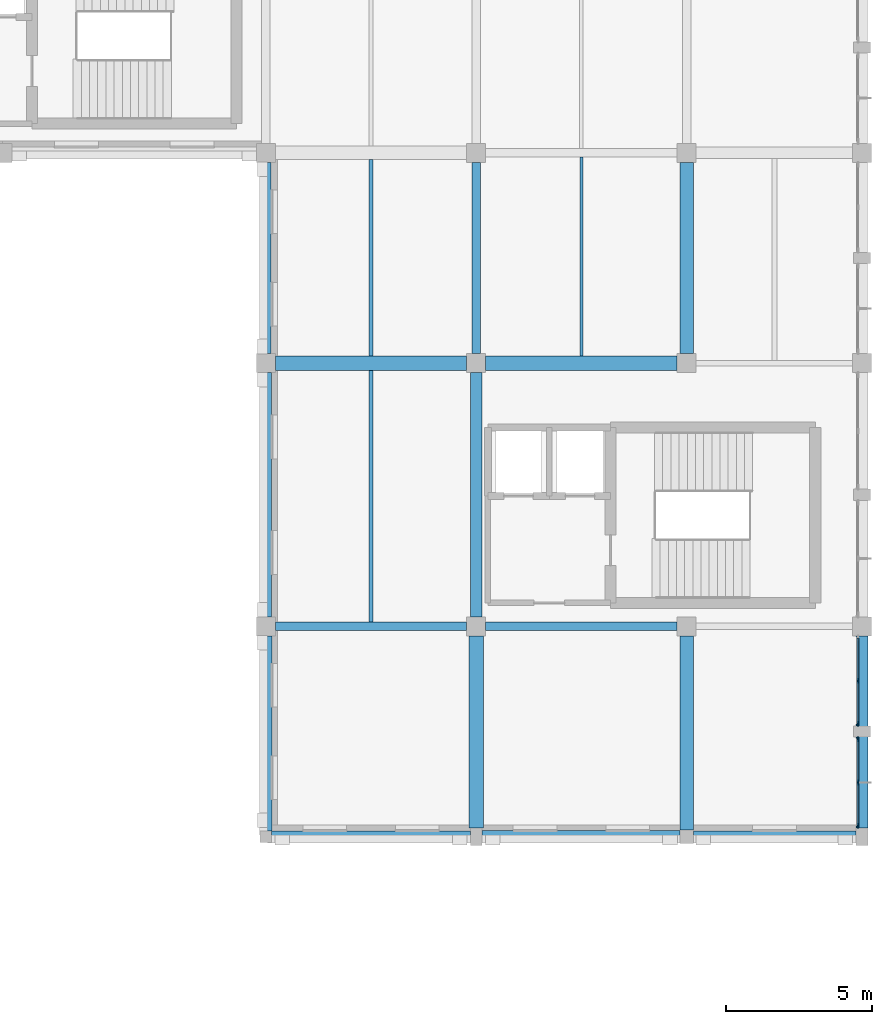
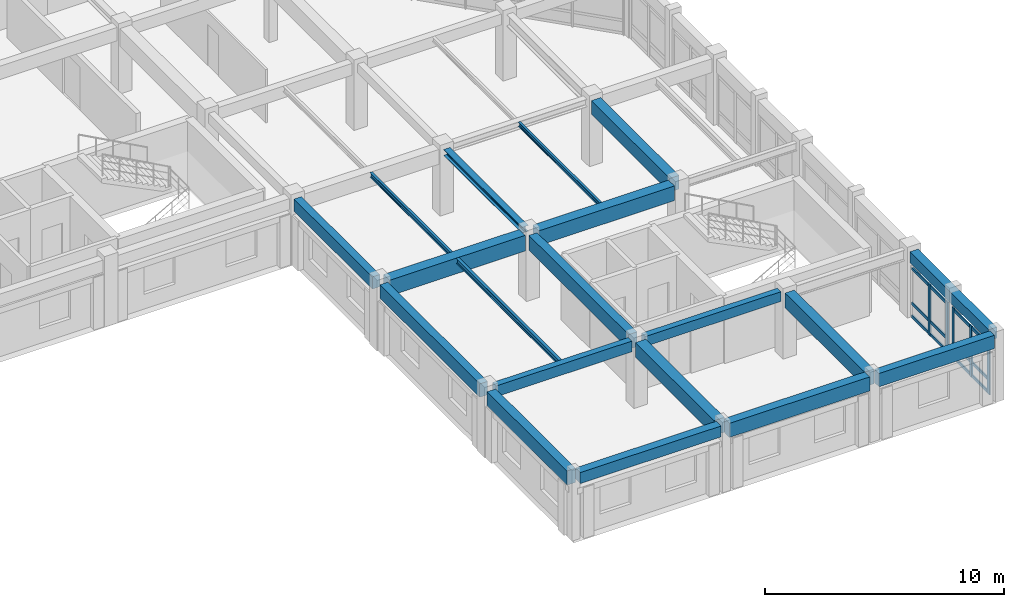
# One storey, part 3 of 18: 19 beams, 17 members, 2 elements without a shape of their own.
"""IFC4 building model written with IfcOpenShell, lengths in metres."""

from ifc_helpers import new_model, si_unit, direction, frame, origin, origin_2d, place, context, subcontext, project, spatial, rectangle, i_section, extrude, material, material_profile, profile_set, type_object, element, aggregate, save


model = new_model("IFC4")

# Units and contexts
model_context = context("Model", 3, precision=1e-05, world=origin(), true_north=direction((0.0, 1.0)))
body_context = subcontext(model_context, "Body", "Model", "MODEL_VIEW")
ifc_project = project(units=[si_unit("LENGTHUNIT", "METRE"), si_unit("AREAUNIT", "SQUARE_METRE"), si_unit("VOLUMEUNIT", "CUBIC_METRE"), si_unit("PLANEANGLEUNIT", "RADIAN"), si_unit("MASSUNIT", "GRAM", prefix="KILO")], contexts=[model_context])

# Site, building, storey
site_placement = place(None, origin())
site = spatial("IfcSite", under=ifc_project, at=site_placement, CompositionType="ELEMENT")
building_placement = place(site_placement, origin())
building = spatial("IfcBuilding", under=site, at=building_placement, Name="Clarverna Civic Hall", CompositionType="ELEMENT")
storey_placement = place(building_placement, frame((0.0, 0.0, 20.39990234375)))
storey = spatial("IfcBuildingStorey", under=building, at=storey_placement, Name="L05", CompositionType="ELEMENT", Elevation=20.39990234375)

# Beams
ifc_material_1 = material(Name="Concrete C35/45", Category="concrete")
ifc_material_profile_1 = material_profile(ifc_material_1, rectangle(XDim=0.300048828125, YDim=0.550048828125, at=origin_2d()), Name="RC 300x550")
ifc_profile_set_1 = profile_set([ifc_material_profile_1], Name="Concrete C35/45")
beam_type_1 = type_object("IfcBeamType", Name="B-RC11", PredefinedType="BEAM", material=ifc_profile_set_1)
beam_1_placement = place(storey_placement, frame((147.925048828125, 78.800048828125, 3.065185546875), z_axis=(1.0, 0.0, 0.0), x_axis=(0.0, 1.0, 0.0)))
element("IfcBeam", 1, at=beam_1_placement, inside=storey, type_object=beam_type_1, Name="B-RC11-035", PredefinedType="BEAM", context=body_context, shape_type="SweptSolid", body=[
    extrude(rectangle(XDim=0.300048828125, YDim=0.550048828125, at=origin_2d()), origin(), (0.0, 0.0, 1.0), 6.550048828125),
])
ifc_material_profile_2 = material_profile(ifc_material_1, rectangle(XDim=0.300048828125, YDim=0.5, at=origin_2d()), Name="RC 300x500")
ifc_profile_set_2 = profile_set([ifc_material_profile_2], Name="Concrete C35/45")
beam_type_2 = type_object("IfcBeamType", Name="B-RC12", PredefinedType="BEAM", material=ifc_profile_set_2)
beam_2_placement = place(storey_placement, frame((155.125, 78.800048828125, 3.090087890625), z_axis=(1.0, 0.0, 0.0), x_axis=(0.0, 1.0, 0.0)))
element("IfcBeam", 2, at=beam_2_placement, inside=storey, type_object=beam_type_2, Name="B-RC12-051", PredefinedType="BEAM", context=body_context, shape_type="SweptSolid", body=[
    extrude(rectangle(XDim=0.300048828125, YDim=0.5, at=origin_2d()), origin(), (0.0, 0.0, 1.0), 6.550048828125),
])
ifc_material_profile_3 = material_profile(ifc_material_1, rectangle(XDim=0.5, YDim=0.800048828125, at=origin_2d()), Name="RC 500x800")
ifc_profile_set_3 = profile_set([ifc_material_profile_3], Name="Concrete C35/45")
beam_type_3 = type_object("IfcBeamType", Name="B-RC14", PredefinedType="BEAM", material=ifc_profile_set_3)
beam_3_placement = place(storey_placement, frame((147.925048828125, 87.800048828125, 2.940185546875), z_axis=(1.0, 0.0, 0.0), x_axis=(0.0, 1.0, 0.0)))
element("IfcBeam", 3, at=beam_3_placement, inside=storey, type_object=beam_type_3, Name="B-RC14-029", PredefinedType="BEAM", context=body_context, shape_type="SweptSolid", body=[
    extrude(rectangle(XDim=0.5, YDim=0.800048828125, at=origin_2d()), origin(), (0.0, 0.0, 1.0), 6.550048828125),
])
ifc_material_profile_4 = material_profile(ifc_material_1, rectangle(XDim=0.5, YDim=0.75, at=origin_2d()), Name="RC 500x750")
ifc_profile_set_4 = profile_set([ifc_material_profile_4], Name="Concrete C35/45")
beam_type_4 = type_object("IfcBeamType", Name="B-RC15", PredefinedType="BEAM", material=ifc_profile_set_4)
beam_4_placement = place(storey_placement, frame((155.125, 87.800048828125, 2.965087890625), z_axis=(1.0, 0.0, 0.0), x_axis=(0.0, 1.0, 0.0)))
element("IfcBeam", 4, at=beam_4_placement, inside=storey, type_object=beam_type_4, Name="B-RC15-050", PredefinedType="BEAM", context=body_context, shape_type="SweptSolid", body=[
    extrude(rectangle(XDim=0.5, YDim=0.75, at=origin_2d()), origin(), (0.0, 0.0, 1.0), 6.550048828125),
])
beam_5_placement = place(storey_placement, frame((154.800048828125, 71.89990234375, 2.965087890625), z_axis=(0.0, 1.0, 0.0), x_axis=(-1.0, 0.0, 0.0)))
element("IfcBeam", 5, at=beam_5_placement, inside=storey, type_object=beam_type_4, Name="B-RC15-051", PredefinedType="BEAM", context=body_context, shape_type="SweptSolid", body=[
    extrude(rectangle(XDim=0.5, YDim=0.75, at=origin_2d()), origin(), (0.0, 0.0, 1.0), 6.5751953125),
])
ifc_material_profile_5 = material_profile(ifc_material_1, rectangle(XDim=0.39990234375, YDim=0.75, at=origin_2d()), Name="RC 400x750")
ifc_profile_set_5 = profile_set([ifc_material_profile_5], Name="Concrete C35/45")
beam_type_5 = type_object("IfcBeamType", Name="B-RC16", PredefinedType="BEAM", material=ifc_profile_set_5)
beam_6_placement = place(storey_placement, frame((154.800048828125, 79.125, 2.965087890625), z_axis=(0.0, 1.0, 0.0), x_axis=(-1.0, 0.0, 0.0)))
element("IfcBeam", 6, at=beam_6_placement, inside=storey, type_object=beam_type_5, Name="B-RC16-030", PredefinedType="BEAM", context=body_context, shape_type="SweptSolid", body=[
    extrude(rectangle(XDim=0.39990234375, YDim=0.75, at=origin_2d()), origin(), (0.0, 0.0, 1.0), 8.35009765625),
])
ifc_material_profile_6 = material_profile(ifc_material_1, rectangle(XDim=0.449951171875, YDim=0.75, at=origin_2d()), Name="RC 450x750")
ifc_profile_set_6 = profile_set([ifc_material_profile_6], Name="Concrete C35/45")
beam_type_6 = type_object("IfcBeamType", Name="B-RC3", PredefinedType="BEAM", material=ifc_profile_set_6)
beam_7_placement = place(storey_placement, frame((162.0, 71.824951171875, 2.965087890625), z_axis=(0.0, 1.0, 0.0), x_axis=(-1.0, 0.0, 0.0)))
element("IfcBeam", 7, at=beam_7_placement, inside=storey, type_object=beam_type_6, Name="B-RC3-040", PredefinedType="BEAM", context=body_context, shape_type="SweptSolid", body=[
    extrude(rectangle(XDim=0.449951171875, YDim=0.75, at=origin_2d()), origin(), (0.0, 0.0, 1.0), 6.650146484375),
])
ifc_material_profile_7 = material_profile(ifc_material_1, rectangle(XDim=0.449951171875, YDim=0.699951171875, at=origin_2d()), Name="RC 450x700")
ifc_profile_set_7 = profile_set([ifc_material_profile_7], Name="Concrete C35/45")
beam_type_7 = type_object("IfcBeamType", Name="B-RC4", PredefinedType="BEAM", material=ifc_profile_set_7)
beam_8_placement = place(storey_placement, frame((162.0, 88.125, 2.989990234375), z_axis=(0.0, 1.0, 0.0), x_axis=(-1.0, 0.0, 0.0)))
element("IfcBeam", 8, at=beam_8_placement, inside=storey, type_object=beam_type_7, Name="B-RC4-031", PredefinedType="BEAM", context=body_context, shape_type="SweptSolid", body=[
    extrude(rectangle(XDim=0.449951171875, YDim=0.699951171875, at=origin_2d()), origin(), (0.0, 0.0, 1.0), 6.550048828125),
])
ifc_material_profile_8 = material_profile(ifc_material_1, rectangle(XDim=0.419921875, YDim=0.719970703125, at=origin_2d()), Name="RC 420x720")
ifc_profile_set_8 = profile_set([ifc_material_profile_8], Name="Concrete C35/45")
beam_type_8 = type_object("IfcBeamType", Name="B-SP1", PredefinedType="SPANDREL", material=ifc_profile_set_8)
beam_9_placement = place(storey_placement, frame((155.0, 71.60009765625, 3.0), z_axis=(1.0, 0.0, 0.0), x_axis=(0.0, 1.0, 0.0)))
element("IfcBeam", 9, at=beam_9_placement, inside=storey, type_object=beam_type_8, Name="B-SP1-143", PredefinedType="SPANDREL", context=body_context, shape_type="SweptSolid", body=[
    extrude(rectangle(XDim=0.419921875, YDim=0.719970703125, at=origin_2d()), origin(), (0.0, 0.0, 1.0), 6.77490234375),
])
beam_10_placement = place(storey_placement, frame((147.60009765625, 71.800048828125, 2.97998046875), z_axis=(0.0, 1.0, 0.0), x_axis=(-1.0, 0.0, 0.0)))
element("IfcBeam", 10, at=beam_10_placement, inside=storey, type_object=beam_type_8, Name="B-SP1-148", PredefinedType="SPANDREL", context=body_context, shape_type="SweptSolid", body=[
    extrude(rectangle(XDim=0.419921875, YDim=0.719970703125, at=origin_2d()), origin(), (0.0, 0.0, 1.0), 6.675048828125),
])
ifc_material_profile_9 = material_profile(ifc_material_1, rectangle(XDim=0.3798828125, YDim=0.679931640625, at=origin_2d()), Name="RC 380x680")
ifc_profile_set_9 = profile_set([ifc_material_profile_9], Name="Concrete C35/45")
beam_type_9 = type_object("IfcBeamType", Name="B-SP2", PredefinedType="SPANDREL", material=ifc_profile_set_9)
beam_11_placement = place(storey_placement, frame((162.22509765625, 71.60009765625, 3.02001953125), z_axis=(1.0, 0.0, 0.0), x_axis=(0.0, 1.0, 0.0)))
element("IfcBeam", 11, at=beam_11_placement, inside=storey, type_object=beam_type_9, Name="B-SP2-150", PredefinedType="SPANDREL", context=body_context, shape_type="SweptSolid", body=[
    extrude(rectangle(XDim=0.3798828125, YDim=0.679931640625, at=origin_2d()), origin(), (0.0, 0.0, 1.0), 5.574951171875),
])
beam_12_placement = place(storey_placement, frame((147.60009765625, 79.125, 3.0), z_axis=(0.0, 1.0, 0.0), x_axis=(-1.0, 0.0, 0.0)))
element("IfcBeam", 12, at=beam_12_placement, inside=storey, type_object=beam_type_9, Name="B-SP2-155", PredefinedType="SPANDREL", context=body_context, shape_type="SweptSolid", body=[
    extrude(rectangle(XDim=0.3798828125, YDim=0.679931640625, at=origin_2d()), origin(), (0.0, 0.0, 1.0), 8.35009765625),
])
ifc_material_profile_10 = material_profile(ifc_material_1, rectangle(XDim=0.360107421875, YDim=0.6201171875, at=origin_2d()), Name="RC 360x620")
ifc_profile_set_10 = profile_set([ifc_material_profile_10], Name="Concrete C35/45")
beam_type_10 = type_object("IfcBeamType", Name="B-SP3", PredefinedType="SPANDREL", material=ifc_profile_set_10)
beam_13_placement = place(storey_placement, frame((147.60009765625, 88.125, 3.030029296875), z_axis=(0.0, 1.0, 0.0), x_axis=(-1.0, 0.0, 0.0)))
element("IfcBeam", 13, at=beam_13_placement, inside=storey, type_object=beam_type_10, Name="B-SP3-153", PredefinedType="SPANDREL", context=body_context, shape_type="SweptSolid", body=[
    extrude(rectangle(XDim=0.360107421875, YDim=0.6201171875, at=origin_2d()), origin(), (0.0, 0.0, 1.0), 6.550048828125),
])
ifc_material_profile_11 = material_profile(ifc_material_1, rectangle(XDim=0.39990234375, YDim=0.56005859375, at=origin_2d()), Name="RC 400x560")
ifc_profile_set_11 = profile_set([ifc_material_profile_11], Name="Concrete C35/45")
beam_type_11 = type_object("IfcBeamType", Name="B-SP4", PredefinedType="SPANDREL", material=ifc_profile_set_11)
beam_14_placement = place(storey_placement, frame((147.800048828125, 71.60009765625, 3.080078125), z_axis=(1.0, 0.0, 0.0), x_axis=(0.0, 1.0, 0.0)))
element("IfcBeam", 14, at=beam_14_placement, inside=storey, type_object=beam_type_11, Name="B-SP4-148", PredefinedType="SPANDREL", context=body_context, shape_type="SweptSolid", body=[
    extrude(rectangle(XDim=0.39990234375, YDim=0.56005859375, at=origin_2d()), origin(), (0.0, 0.0, 1.0), 6.800048828125),
])
beam_15_placement = place(storey_placement, frame((168.0, 71.89990234375, 3.06005859375), z_axis=(0.0, 1.0, 0.0), x_axis=(-1.0, 0.0, 0.0)))
element("IfcBeam", 15, at=beam_15_placement, inside=storey, type_object=beam_type_11, Name="B-SP4-153", PredefinedType="SPANDREL", context=body_context, shape_type="SweptSolid", body=[
    extrude(rectangle(XDim=0.39990234375, YDim=0.56005859375, at=origin_2d()), origin(), (0.0, 0.0, 1.0), 6.5751953125),
])
ifc_material_2 = material(Name="Steel S355", Category="steel")
ifc_material_profile_12 = material_profile(ifc_material_2, i_section(OverallWidth=0.300048828125, OverallDepth=0.31005859375, WebThickness=0.009033203125, FlangeThickness=0.015380859375, FilletRadius=0.027099609375, at=origin_2d()), Name="HEA 320")
ifc_profile_set_12 = profile_set([ifc_material_profile_12], Name="Steel S355")
beam_type_12 = type_object("IfcBeamType", Name="B-ST9", PredefinedType="BEAM", material=ifc_profile_set_12)
beam_16_placement = place(storey_placement, frame((154.800048828125, 88.125, 3.18505859375), z_axis=(0.0, 1.0, 0.0), x_axis=(-1.0, 0.0, 0.0)))
element("IfcBeam", 16, at=beam_16_placement, inside=storey, type_object=beam_type_12, Name="B-ST9-092", PredefinedType="BEAM", context=body_context, shape_type="SweptSolid", body=[
    extrude(i_section(OverallWidth=0.300048828125, OverallDepth=0.31005859375, WebThickness=0.009033203125, FlangeThickness=0.015380859375, FilletRadius=0.027099609375, at=origin_2d()), origin(), (0.0, 0.0, 1.0), 6.550048828125),
])

# Curtain wall, members
ifc_material_3 = material(Name="Anodised Bronze Architectural Aluminium", Category="aluminium")
curtain_wall_type = type_object("IfcCurtainWallType", Name="CW-01", PredefinedType="USERDEFINED", material=ifc_material_3)
curtain_wall_1_placement = place(storey_placement, origin())
curtain_wall_1 = element("IfcCurtainWall", 17, at=curtain_wall_1_placement, inside=storey, type_object=curtain_wall_type, Name="CW-01-111", ObjectType="UNITISED CURTAIN WALL", PredefinedType="USERDEFINED")
ifc_material_profile_13 = material_profile(ifc_material_3, rectangle(XDim=0.06005859375, YDim=0.179931640625, at=origin_2d()), Name="BRONZE 60x180")
ifc_profile_set_13 = profile_set([ifc_material_profile_13], Name="Anodised Bronze Architectural Aluminium")
member_type_1 = type_object("IfcMemberType", Name="CWM-01", PredefinedType="MULLION", material=ifc_profile_set_13)
member_1_placement = place(storey_placement, frame((167.860107421875, 76.9326171875, 0.0), z_axis=(0.0, 0.0, 1.0), x_axis=(1.0, 0.0, 0.0)))
member_1 = element("IfcMember", 18, at=member_1_placement, type_object=member_type_1, Name="CWM-01-208", PredefinedType="MULLION", context=body_context, shape_type="SweptSolid", body=[
    extrude(rectangle(XDim=0.06005859375, YDim=0.179931640625, at=origin_2d()), origin(), (0.0, 0.0, 1.0), 2.6201171875),
])
member_2_placement = place(storey_placement, frame((167.860107421875, 75.462890625, 0.0), z_axis=(0.0, 0.0, 1.0), x_axis=(1.0, 0.0, 0.0)))
member_2 = element("IfcMember", 19, at=member_2_placement, type_object=member_type_1, Name="CWM-01-209", PredefinedType="MULLION", context=body_context, shape_type="SweptSolid", body=[
    extrude(rectangle(XDim=0.06005859375, YDim=0.179931640625, at=origin_2d()), origin(), (0.0, 0.0, 1.0), 2.6201171875),
])

curtain_wall_2_placement = place(storey_placement, origin())
curtain_wall_2 = element("IfcCurtainWall", 20, at=curtain_wall_2_placement, inside=storey, type_object=curtain_wall_type, Name="CW-01-112", ObjectType="UNITISED CURTAIN WALL", PredefinedType="USERDEFINED")
member_3_placement = place(storey_placement, frame((167.860107421875, 74.93701171875, 0.0), z_axis=(0.0, 0.0, 1.0), x_axis=(1.0, 0.0, 0.0)))
member_3 = element("IfcMember", 21, at=member_3_placement, type_object=member_type_1, Name="CWM-01-210", PredefinedType="MULLION", context=body_context, shape_type="SweptSolid", body=[
    extrude(rectangle(XDim=0.06005859375, YDim=0.179931640625, at=origin_2d()), origin(), (0.0, 0.0, 1.0), 2.6201171875),
])
member_4_placement = place(storey_placement, frame((167.860107421875, 73.455078125, 0.0), z_axis=(0.0, 0.0, 1.0), x_axis=(1.0, 0.0, 0.0)))
member_4 = element("IfcMember", 22, at=member_4_placement, type_object=member_type_1, Name="CWM-01-211", PredefinedType="MULLION", context=body_context, shape_type="SweptSolid", body=[
    extrude(rectangle(XDim=0.06005859375, YDim=0.179931640625, at=origin_2d()), origin(), (0.0, 0.0, 1.0), 2.6201171875),
])
member_5_placement = place(storey_placement, frame((167.860107421875, 71.972900390625, 0.0), z_axis=(0.0, 0.0, 1.0), x_axis=(1.0, 0.0, 0.0)))
member_5 = element("IfcMember", 23, at=member_5_placement, type_object=member_type_1, Name="CWM-01-212", PredefinedType="MULLION", context=body_context, shape_type="SweptSolid", body=[
    extrude(rectangle(XDim=0.06005859375, YDim=0.179931640625, at=origin_2d()), origin(), (0.0, 0.0, 1.0), 2.6201171875),
])

# Member
ifc_material_profile_14 = material_profile(ifc_material_3, rectangle(XDim=0.06005859375, YDim=0.14990234375, at=origin_2d()), Name="BRONZE 60x150")
ifc_profile_set_14 = profile_set([ifc_material_profile_14], Name="Anodised Bronze Architectural Aluminium")
member_type_2 = type_object("IfcMemberType", Name="CWT-01", PredefinedType="USERDEFINED", material=ifc_profile_set_14)
member_6_placement = place(storey_placement, frame((167.860107421875, 78.386962890625, 0.09521484375), z_axis=(0.0, -1.0, 0.0), x_axis=(1.0, 0.0, 0.0)))
member_6 = element("IfcMember", 24, at=member_6_placement, type_object=member_type_2, Name="CWT-01-442", ObjectType="TRANSOM", PredefinedType="USERDEFINED", context=body_context, shape_type="SweptSolid", body=[
    extrude(rectangle(XDim=0.06005859375, YDim=0.14990234375, at=origin_2d()), origin(), (0.0, 0.0, 1.0), 1.439453125),
])

member_7_placement = place(storey_placement, frame((167.860107421875, 78.386962890625, 0.75), z_axis=(0.0, -1.0, 0.0), x_axis=(1.0, 0.0, 0.0)))
member_7 = element("IfcMember", 25, at=member_7_placement, type_object=member_type_2, Name="CWT-01-443", ObjectType="TRANSOM", PredefinedType="USERDEFINED", context=body_context, shape_type="SweptSolid", body=[
    extrude(rectangle(XDim=0.06005859375, YDim=0.14990234375, at=origin_2d()), origin(), (0.0, 0.0, 1.0), 1.439453125),
])

member_8_placement = place(storey_placement, frame((167.860107421875, 78.386962890625, 2.525146484375), z_axis=(0.0, -1.0, 0.0), x_axis=(1.0, 0.0, 0.0)))
member_8 = element("IfcMember", 26, at=member_8_placement, type_object=member_type_2, Name="CWT-01-444", ObjectType="TRANSOM", PredefinedType="USERDEFINED", context=body_context, shape_type="SweptSolid", body=[
    extrude(rectangle(XDim=0.06005859375, YDim=0.14990234375, at=origin_2d()), origin(), (0.0, 0.0, 1.0), 1.439453125),
])

member_9_placement = place(storey_placement, frame((167.860107421875, 76.91748046875, 0.09521484375), z_axis=(0.0, -1.0, 0.0), x_axis=(1.0, 0.0, 0.0)))
member_9 = element("IfcMember", 27, at=member_9_placement, type_object=member_type_2, Name="CWT-01-445", ObjectType="TRANSOM", PredefinedType="USERDEFINED", context=body_context, shape_type="SweptSolid", body=[
    extrude(rectangle(XDim=0.06005859375, YDim=0.14990234375, at=origin_2d()), origin(), (0.0, 0.0, 1.0), 1.439453125),
])

member_10_placement = place(storey_placement, frame((167.860107421875, 76.91748046875, 0.75), z_axis=(0.0, -1.0, 0.0), x_axis=(1.0, 0.0, 0.0)))
member_10 = element("IfcMember", 28, at=member_10_placement, type_object=member_type_2, Name="CWT-01-446", ObjectType="TRANSOM", PredefinedType="USERDEFINED", context=body_context, shape_type="SweptSolid", body=[
    extrude(rectangle(XDim=0.06005859375, YDim=0.14990234375, at=origin_2d()), origin(), (0.0, 0.0, 1.0), 1.439453125),
])

member_11_placement = place(storey_placement, frame((167.860107421875, 76.91748046875, 2.525146484375), z_axis=(0.0, -1.0, 0.0), x_axis=(1.0, 0.0, 0.0)))
member_11 = element("IfcMember", 29, at=member_11_placement, type_object=member_type_2, Name="CWT-01-447", ObjectType="TRANSOM", PredefinedType="USERDEFINED", context=body_context, shape_type="SweptSolid", body=[
    extrude(rectangle(XDim=0.06005859375, YDim=0.14990234375, at=origin_2d()), origin(), (0.0, 0.0, 1.0), 1.439453125),
])

aggregate(curtain_wall_1, [member_1, member_2, member_6, member_7, member_8, member_9, member_10, member_11])

member_12_placement = place(storey_placement, frame((167.860107421875, 74.922119140625, 0.09521484375), z_axis=(0.0, -1.0, 0.0), x_axis=(1.0, 0.0, 0.0)))
member_12 = element("IfcMember", 30, at=member_12_placement, type_object=member_type_2, Name="CWT-01-448", ObjectType="TRANSOM", PredefinedType="USERDEFINED", context=body_context, shape_type="SweptSolid", body=[
    extrude(rectangle(XDim=0.06005859375, YDim=0.14990234375, at=origin_2d()), origin(), (0.0, 0.0, 1.0), 1.4521484375),
])

member_13_placement = place(storey_placement, frame((167.860107421875, 74.922119140625, 0.75), z_axis=(0.0, -1.0, 0.0), x_axis=(1.0, 0.0, 0.0)))
member_13 = element("IfcMember", 31, at=member_13_placement, type_object=member_type_2, Name="CWT-01-449", ObjectType="TRANSOM", PredefinedType="USERDEFINED", context=body_context, shape_type="SweptSolid", body=[
    extrude(rectangle(XDim=0.06005859375, YDim=0.14990234375, at=origin_2d()), origin(), (0.0, 0.0, 1.0), 1.4521484375),
])

member_14_placement = place(storey_placement, frame((167.860107421875, 74.922119140625, 2.525146484375), z_axis=(0.0, -1.0, 0.0), x_axis=(1.0, 0.0, 0.0)))
member_14 = element("IfcMember", 32, at=member_14_placement, type_object=member_type_2, Name="CWT-01-450", ObjectType="TRANSOM", PredefinedType="USERDEFINED", context=body_context, shape_type="SweptSolid", body=[
    extrude(rectangle(XDim=0.06005859375, YDim=0.14990234375, at=origin_2d()), origin(), (0.0, 0.0, 1.0), 1.4521484375),
])

member_15_placement = place(storey_placement, frame((167.860107421875, 73.43994140625, 0.09521484375), z_axis=(0.0, -1.0, 0.0), x_axis=(1.0, 0.0, 0.0)))
member_15 = element("IfcMember", 33, at=member_15_placement, type_object=member_type_2, Name="CWT-01-451", ObjectType="TRANSOM", PredefinedType="USERDEFINED", context=body_context, shape_type="SweptSolid", body=[
    extrude(rectangle(XDim=0.06005859375, YDim=0.14990234375, at=origin_2d()), origin(), (0.0, 0.0, 1.0), 1.451904296875),
])

member_16_placement = place(storey_placement, frame((167.860107421875, 73.43994140625, 0.75), z_axis=(0.0, -1.0, 0.0), x_axis=(1.0, 0.0, 0.0)))
member_16 = element("IfcMember", 34, at=member_16_placement, type_object=member_type_2, Name="CWT-01-452", ObjectType="TRANSOM", PredefinedType="USERDEFINED", context=body_context, shape_type="SweptSolid", body=[
    extrude(rectangle(XDim=0.06005859375, YDim=0.14990234375, at=origin_2d()), origin(), (0.0, 0.0, 1.0), 1.451904296875),
])

member_17_placement = place(storey_placement, frame((167.860107421875, 73.43994140625, 2.525146484375), z_axis=(0.0, -1.0, 0.0), x_axis=(1.0, 0.0, 0.0)))
member_17 = element("IfcMember", 35, at=member_17_placement, type_object=member_type_2, Name="CWT-01-453", ObjectType="TRANSOM", PredefinedType="USERDEFINED", context=body_context, shape_type="SweptSolid", body=[
    extrude(rectangle(XDim=0.06005859375, YDim=0.14990234375, at=origin_2d()), origin(), (0.0, 0.0, 1.0), 1.451904296875),
])

aggregate(curtain_wall_2, [member_3, member_4, member_5, member_12, member_13, member_14, member_15, member_16, member_17])

# Beams
ifc_material_profile_15 = material_profile(ifc_material_2, i_section(OverallWidth=0.135009765625, OverallDepth=0.27001953125, WebThickness=0.006591796875, FlangeThickness=0.01025390625, FilletRadius=0.014892578125, at=origin_2d()), Name="IPE 270")
ifc_profile_set_15 = profile_set([ifc_material_profile_15], Name="Steel S355")
beam_type_13 = type_object("IfcBeamType", Name="J-ST4", PredefinedType="JOIST", material=ifc_profile_set_15)
beam_17_placement = place(storey_placement, frame((151.199951171875, 78.949951171875, 3.205078125), z_axis=(0.0, 1.0, 0.0), x_axis=(-1.0, 0.0, 0.0)))
element("IfcBeam", 36, at=beam_17_placement, inside=storey, type_object=beam_type_13, Name="J-ST4-074", PredefinedType="JOIST", context=body_context, shape_type="SweptSolid", body=[
    extrude(i_section(OverallWidth=0.135009765625, OverallDepth=0.27001953125, WebThickness=0.006591796875, FlangeThickness=0.01025390625, FilletRadius=0.014892578125, at=origin_2d()), origin(), (0.0, 0.0, 1.0), 8.60009765625),
])
ifc_material_profile_16 = material_profile(ifc_material_2, i_section(OverallWidth=0.1201171875, OverallDepth=0.239990234375, WebThickness=0.006103515625, FlangeThickness=0.009765625, FilletRadius=0.014892578125, at=origin_2d()), Name="IPE 240")
ifc_profile_set_16 = profile_set([ifc_material_profile_16], Name="Steel S355")
beam_type_14 = type_object("IfcBeamType", Name="J-ST5", PredefinedType="JOIST", material=ifc_profile_set_16)
beam_18_placement = place(storey_placement, frame((151.199951171875, 88.050048828125, 3.22021484375), z_axis=(0.0, 1.0, 0.0), x_axis=(-1.0, 0.0, 0.0)))
element("IfcBeam", 37, at=beam_18_placement, inside=storey, type_object=beam_type_14, Name="J-ST5-071", PredefinedType="JOIST", context=body_context, shape_type="SweptSolid", body=[
    extrude(i_section(OverallWidth=0.1201171875, OverallDepth=0.239990234375, WebThickness=0.006103515625, FlangeThickness=0.009765625, FilletRadius=0.014892578125, at=origin_2d()), origin(), (0.0, 0.0, 1.0), 6.724853515625),
])
ifc_material_profile_17 = material_profile(ifc_material_2, i_section(OverallWidth=0.110107421875, OverallDepth=0.219970703125, WebThickness=0.005859375, FlangeThickness=0.00927734375, FilletRadius=0.011962890625, at=origin_2d()), Name="IPE 220")
ifc_profile_set_17 = profile_set([ifc_material_profile_17], Name="Steel S355")
beam_type_15 = type_object("IfcBeamType", Name="J-ST6", PredefinedType="JOIST", material=ifc_profile_set_17)
beam_19_placement = place(storey_placement, frame((158.39990234375, 88.050048828125, 3.22998046875), z_axis=(0.0, 1.0, 0.0), x_axis=(-1.0, 0.0, 0.0)))
element("IfcBeam", 38, at=beam_19_placement, inside=storey, type_object=beam_type_15, Name="J-ST6-071", PredefinedType="JOIST", context=body_context, shape_type="SweptSolid", body=[
    extrude(i_section(OverallWidth=0.110107421875, OverallDepth=0.219970703125, WebThickness=0.005859375, FlangeThickness=0.00927734375, FilletRadius=0.011962890625, at=origin_2d()), origin(), (0.0, 0.0, 1.0), 6.800048828125),
])

save(model, "model.ifc")
